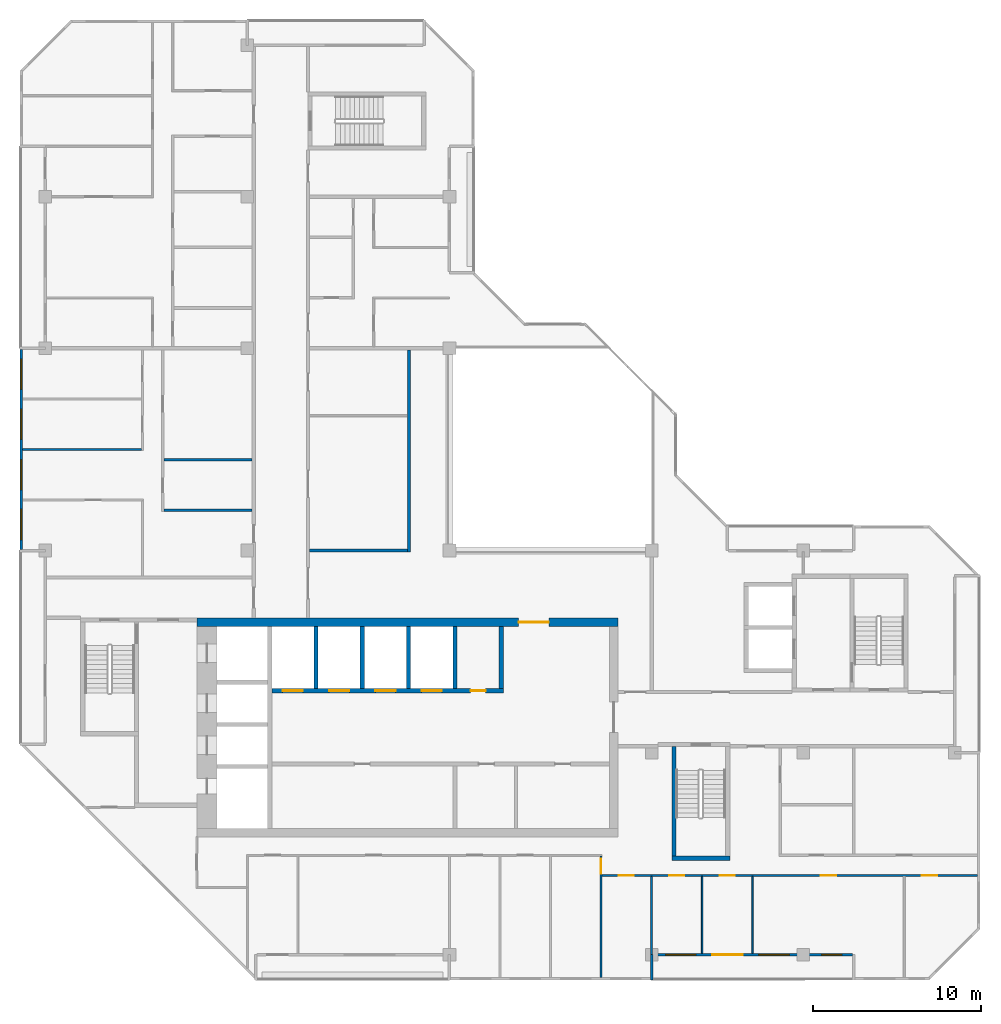
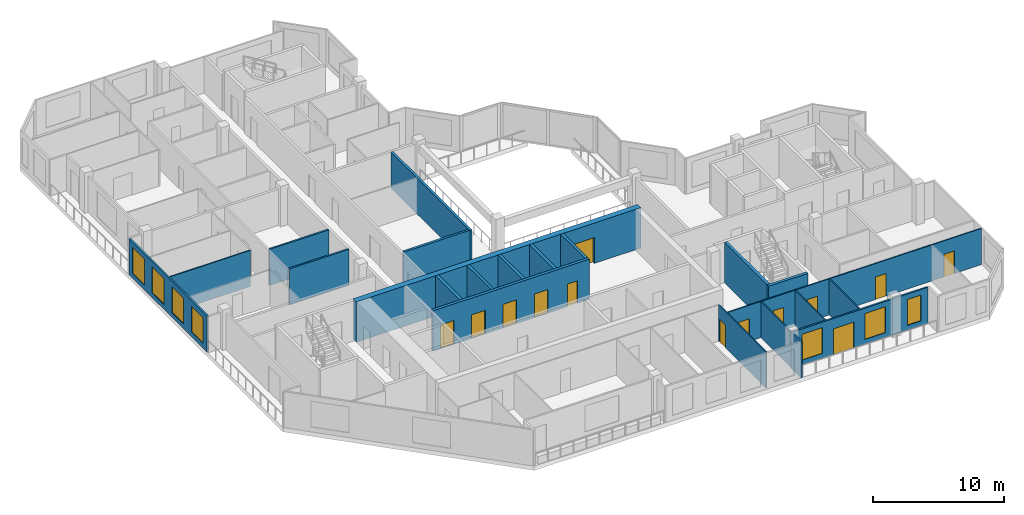
# One storey, part 5 of 12: 22 walls, 13 doors, 7 windows, 20 openings.
"""IFC4 building model written with IfcOpenShell, lengths in metres."""

from ifc_helpers import new_model, si_unit, direction, frame, frame_2d, origin, place, context, subcontext, project, spatial, rectangle, extrude, material, layer, layer_set, type_object, element, fill, save


model = new_model("IFC4")

# Units and contexts
model_context = context("Model", 3, precision=1e-05, world=origin(), true_north=direction((0.0, 1.0)))
body_context = subcontext(model_context, "Body", "Model", "MODEL_VIEW")
ifc_project = project(units=[si_unit("LENGTHUNIT", "METRE"), si_unit("AREAUNIT", "SQUARE_METRE"), si_unit("VOLUMEUNIT", "CUBIC_METRE"), si_unit("PLANEANGLEUNIT", "RADIAN"), si_unit("MASSUNIT", "GRAM", prefix="KILO")], contexts=[model_context])

# Site, building, storey
site_placement = place(None, origin())
site = spatial("IfcSite", under=ifc_project, at=site_placement, CompositionType="ELEMENT")
building_placement = place(site_placement, origin())
building = spatial("IfcBuilding", under=site, at=building_placement, Name="Chenar Terraces", CompositionType="ELEMENT")
storey_placement = place(building_placement, frame((0.0, 0.0, 365.14990234375)))
storey = spatial("IfcBuildingStorey", under=building, at=storey_placement, Name="L85", CompositionType="ELEMENT", Elevation=365.14990234375)

# Wall, openings, doors
ifc_material_1 = material(Name="Concrete C50/60", Category="concrete")
ifc_layer_1 = layer(ifc_material_1, 0.25)
ifc_layer_set_1 = layer_set([ifc_layer_1], Name="Concrete C50/60")
wall_type_1 = type_object("IfcWallType", Name="Core wall 250 Concrete C50/60", PredefinedType="SHEAR", material=ifc_layer_set_1)
wall_1_placement = place(storey_placement, frame((13.449951171875, 15.675048828125, 0.0), z_axis=(0.0, 0.0, 1.0), x_axis=(1.0, 0.0, 0.0)))
wall_1 = element("IfcWall", 1, at=wall_1_placement, inside=storey, type_object=wall_type_1, Name="Core wall NF L85", PredefinedType="SHEAR", context=body_context, shape_type="SweptSolid", body=[
    extrude(rectangle(XDim=13.75, YDim=0.25, at=frame_2d((6.875, 0.0))), origin(), (0.0, 0.0, 1.0), 3.75),
])
opening_1_placement = place(wall_1_placement, frame((0.64990234375, 0.0, 0.0)))
opening_1 = element("IfcOpeningElement", 2, at=opening_1_placement, cuts=wall_1, Name="Opening DL85-LD1", PredefinedType="OPENING", context=body_context, shape_type="SweptSolid", body=[
    extrude(rectangle(XDim=1.199951171875, YDim=2.199951171875, at=frame_2d((0.60009765625, 1.10009765625))), frame((0.0, 0.135009765625, 0.0), z_axis=(0.0, -1.0, 0.0), x_axis=(1.0, 0.0, 0.0)), (0.0, 0.0, 1.0), 0.27001953125),
])
opening_2_placement = place(wall_1_placement, frame((3.39990234375, 0.0, 0.0)))
opening_2 = element("IfcOpeningElement", 3, at=opening_2_placement, cuts=wall_1, Name="Opening DL85-LD2", PredefinedType="OPENING", context=body_context, shape_type="SweptSolid", body=[
    extrude(rectangle(XDim=1.199951171875, YDim=2.199951171875, at=frame_2d((0.60009765625, 1.10009765625))), frame((0.0, 0.135009765625, 0.0), z_axis=(0.0, -1.0, 0.0), x_axis=(1.0, 0.0, 0.0)), (0.0, 0.0, 1.0), 0.27001953125),
])
opening_3_placement = place(wall_1_placement, frame((6.14990234375, 0.0, 0.0)))
opening_3 = element("IfcOpeningElement", 4, at=opening_3_placement, cuts=wall_1, Name="Opening DL85-LD3", PredefinedType="OPENING", context=body_context, shape_type="SweptSolid", body=[
    extrude(rectangle(XDim=1.199951171875, YDim=2.199951171875, at=frame_2d((0.60009765625, 1.10009765625))), frame((0.0, 0.135009765625, 0.0), z_axis=(0.0, -1.0, 0.0), x_axis=(1.0, 0.0, 0.0)), (0.0, 0.0, 1.0), 0.27001953125),
])
opening_4_placement = place(wall_1_placement, frame((8.89990234375, 0.0, 0.0)))
opening_4 = element("IfcOpeningElement", 5, at=opening_4_placement, cuts=wall_1, Name="Opening DL85-LD4", PredefinedType="OPENING", context=body_context, shape_type="SweptSolid", body=[
    extrude(rectangle(XDim=1.199951171875, YDim=2.199951171875, at=frame_2d((0.60009765625, 1.10009765625))), frame((0.0, 0.135009765625, 0.0), z_axis=(0.0, -1.0, 0.0), x_axis=(1.0, 0.0, 0.0)), (0.0, 0.0, 1.0), 0.27001953125),
])
opening_5_placement = place(wall_1_placement, frame((11.800048828125, 0.0, 0.0)))
opening_5 = element("IfcOpeningElement", 6, at=opening_5_placement, cuts=wall_1, Name="Opening DL85-C15", PredefinedType="OPENING", context=body_context, shape_type="SweptSolid", body=[
    extrude(rectangle(XDim=0.89990234375, YDim=2.10009765625, at=frame_2d((0.449951171875, 1.050048828125))), frame((0.0, 0.135009765625, 0.0), z_axis=(0.0, -1.0, 0.0), x_axis=(1.0, 0.0, 0.0)), (0.0, 0.0, 1.0), 0.27001953125),
])
ifc_material_2 = material(Name="Stainless steel", Category="steel")
door_type_1 = type_object("IfcDoorType", Name="Lift landing door 1200 x 2200 sliding", OperationType="DOUBLE_DOOR_SLIDING", PredefinedType="DOOR", material=ifc_material_2)
door_1_placement = place(opening_1_placement, origin())
door_1 = element("IfcDoor", 7, at=door_1_placement, inside=storey, type_object=door_type_1, Name="Landing door H1", OperationType="DOUBLE_DOOR_SLIDING", OverallHeight=2.199951171875, OverallWidth=1.199951171875, PredefinedType="DOOR", context=body_context, shape_type="SweptSolid", body=[
    extrude(rectangle(XDim=1.199951171875, YDim=2.199951171875, at=frame_2d((0.60009765625, 1.10009765625))), frame((0.0, 0.02490234375, 0.0), z_axis=(0.0, -1.0, 0.0), x_axis=(1.0, 0.0, 0.0)), (0.0, 0.0, 1.0), 0.050048828125),
])
fill(opening_1, door_1)
door_2_placement = place(opening_2_placement, origin())
door_2 = element("IfcDoor", 8, at=door_2_placement, inside=storey, type_object=door_type_1, Name="Landing door H2", OperationType="DOUBLE_DOOR_SLIDING", OverallHeight=2.199951171875, OverallWidth=1.199951171875, PredefinedType="DOOR", context=body_context, shape_type="SweptSolid", body=[
    extrude(rectangle(XDim=1.199951171875, YDim=2.199951171875, at=frame_2d((0.60009765625, 1.10009765625))), frame((0.0, 0.02490234375, 0.0), z_axis=(0.0, -1.0, 0.0), x_axis=(1.0, 0.0, 0.0)), (0.0, 0.0, 1.0), 0.050048828125),
])
fill(opening_2, door_2)
door_3_placement = place(opening_3_placement, origin())
door_3 = element("IfcDoor", 9, at=door_3_placement, inside=storey, type_object=door_type_1, Name="Landing door H3", OperationType="DOUBLE_DOOR_SLIDING", OverallHeight=2.199951171875, OverallWidth=1.199951171875, PredefinedType="DOOR", context=body_context, shape_type="SweptSolid", body=[
    extrude(rectangle(XDim=1.199951171875, YDim=2.199951171875, at=frame_2d((0.60009765625, 1.10009765625))), frame((0.0, 0.02490234375, 0.0), z_axis=(0.0, -1.0, 0.0), x_axis=(1.0, 0.0, 0.0)), (0.0, 0.0, 1.0), 0.050048828125),
])
fill(opening_3, door_3)
door_4_placement = place(opening_4_placement, origin())
door_4 = element("IfcDoor", 10, at=door_4_placement, inside=storey, type_object=door_type_1, Name="Landing door H4", OperationType="DOUBLE_DOOR_SLIDING", OverallHeight=2.199951171875, OverallWidth=1.199951171875, PredefinedType="DOOR", context=body_context, shape_type="SweptSolid", body=[
    extrude(rectangle(XDim=1.199951171875, YDim=2.199951171875, at=frame_2d((0.60009765625, 1.10009765625))), frame((0.0, 0.02490234375, 0.0), z_axis=(0.0, -1.0, 0.0), x_axis=(1.0, 0.0, 0.0)), (0.0, 0.0, 1.0), 0.050048828125),
])
fill(opening_4, door_4)
ifc_material_3 = material(Name="Steel-framed fire-resisting door leaf", Category="steel")
door_type_2 = type_object("IfcDoorType", Name="Riser fire door FD60 900 x 2100", OperationType="SINGLE_SWING_LEFT", PredefinedType="DOOR", material=ifc_material_3)
door_5_placement = place(opening_5_placement, origin())
door_5 = element("IfcDoor", 11, at=door_5_placement, inside=storey, type_object=door_type_2, Name="Core room door DL85-C15", OperationType="SINGLE_SWING_RIGHT", OverallHeight=2.10009765625, OverallWidth=0.89990234375, PredefinedType="DOOR", context=body_context, shape_type="SweptSolid", body=[
    extrude(rectangle(XDim=0.89990234375, YDim=2.10009765625, at=frame_2d((0.449951171875, 1.050048828125))), frame((0.0, 0.02490234375, 0.0), z_axis=(0.0, -1.0, 0.0), x_axis=(1.0, 0.0, 0.0)), (0.0, 0.0, 1.0), 0.050048828125),
])
fill(opening_5, door_5)

# Walls
for number, where, z_axis, x_axis, name in (
    (12, (16.074951171875, 15.800048828125, 0.0), (0.0, 0.0, 1.0), (0.0, 1.0, 0.0), "Core wall NS0 L85"),
    (13, (18.824951171875, 15.800048828125, 0.0), (0.0, 0.0, 1.0), (0.0, 1.0, 0.0), "Core wall NS1 L85"),
    (14, (21.574951171875, 15.800048828125, 0.0), (0.0, 0.0, 1.0), (0.0, 1.0, 0.0), "Core wall NS2 L85"),
    (15, (24.324951171875, 15.800048828125, 0.0), (0.0, 0.0, 1.0), (0.0, 1.0, 0.0), "Core wall NS3 L85"),
    (16, (27.074951171875, 15.800048828125, 0.0), (0.0, 0.0, 1.0), (0.0, 1.0, 0.0), "Core wall NE L85"),
):
    element("IfcWall", number, at=place(storey_placement, frame(where, z_axis=z_axis, x_axis=x_axis)), inside=storey, type_object=wall_type_1, Name=name, PredefinedType="SHEAR", context=body_context, shape_type="SweptSolid", body=[
        extrude(rectangle(XDim=3.699951171875, YDim=0.25, at=frame_2d((1.85009765625, 0.0))), origin(), (0.0, 0.0, 1.0), 3.75),
    ])
wall_2_placement = place(storey_placement, frame((37.199951171875, 5.72509765625, 0.0), z_axis=(0.0, 0.0, 1.0), x_axis=(1.0, 0.0, 0.0)))
element("IfcWall", 17, at=wall_2_placement, inside=storey, type_object=wall_type_1, Name="Core wall ST2_S L85", PredefinedType="SHEAR", context=body_context, shape_type="SweptSolid", body=[
    extrude(rectangle(XDim=3.449951171875, YDim=0.25, at=frame_2d((1.72509765625, 0.0))), origin(), (0.0, 0.0, 1.0), 3.75),
])
wall_3_placement = place(storey_placement, frame((37.324951171875, 5.85009765625, 0.0), z_axis=(0.0, 0.0, 1.0), x_axis=(0.0, 1.0, 0.0)))
element("IfcWall", 18, at=wall_3_placement, inside=storey, type_object=wall_type_1, Name="Core wall ST2_W L85", PredefinedType="SHEAR", context=body_context, shape_type="SweptSolid", body=[
    extrude(rectangle(XDim=6.5, YDim=0.25, at=frame_2d((3.25, 0.0))), origin(), (0.0, 0.0, 1.0), 3.75),
])

# Wall, opening, door
ifc_material_4 = material(Name="Concrete C50/60", Category="concrete")
ifc_layer_2 = layer(ifc_material_4, 0.5)
ifc_layer_set_2 = layer_set([ifc_layer_2], Name="Concrete C50/60")
wall_type_2 = type_object("IfcWallType", Name="Core wall 500 Concrete C50/60", PredefinedType="SHEAR", material=ifc_layer_set_2)
wall_4_placement = place(storey_placement, frame((9.0, 19.75, 0.0), z_axis=(0.0, 0.0, 1.0), x_axis=(1.0, 0.0, 0.0)))
wall_4 = element("IfcWall", 19, at=wall_4_placement, inside=storey, type_object=wall_type_2, Name="Core wall N L85", PredefinedType="SHEAR", context=body_context, shape_type="SweptSolid", body=[
    extrude(rectangle(XDim=25.0, YDim=0.5, at=frame_2d((12.5, 0.0))), origin(), (0.0, 0.0, 1.0), 3.75),
])
opening_6_placement = place(wall_4_placement, frame((19.10009765625, 0.0, 0.0)))
opening_6 = element("IfcOpeningElement", 20, at=opening_6_placement, cuts=wall_4, Name="Opening DL85-C2", PredefinedType="OPENING", context=body_context, shape_type="SweptSolid", body=[
    extrude(rectangle(XDim=1.800048828125, YDim=2.39990234375, at=frame_2d((0.89990234375, 1.199951171875))), frame((0.0, 0.260009765625, 0.0), z_axis=(0.0, -1.0, 0.0), x_axis=(1.0, 0.0, 0.0)), (0.0, 0.0, 1.0), 0.52001953125),
])
ifc_material_5 = material(Name="Steel-framed fire-resisting door leaf", Category="steel")
door_type_3 = type_object("IfcDoorType", Name="Core entrance double fire door FD60 1800 x 2400", OperationType="DOUBLE_DOOR_SINGLE_SWING", PredefinedType="DOOR", material=ifc_material_5)
door_6_placement = place(opening_6_placement, frame((1.800048828125, 0.0, 0.0), z_axis=(0.0, 0.0, 1.0), x_axis=(-1.0, 0.0, 0.0)))
door_6 = element("IfcDoor", 21, at=door_6_placement, inside=storey, type_object=door_type_3, Name="Core door DL85-C2", OperationType="DOUBLE_DOOR_SINGLE_SWING", OverallHeight=2.39990234375, OverallWidth=1.800048828125, PredefinedType="DOOR", context=body_context, shape_type="SweptSolid", body=[
    extrude(rectangle(XDim=1.800048828125, YDim=2.39990234375, at=frame_2d((0.89990234375, 1.199951171875))), frame((0.0, 0.02490234375, 0.0), z_axis=(0.0, -1.0, 0.0), x_axis=(1.0, 0.0, 0.0)), (0.0, 0.0, 1.0), 0.050048828125),
])
fill(opening_6, door_6)

# Walls
ifc_material_6 = material(Name="Gypsum board on steel studs with fire boards", Category="steel")
ifc_layer_3 = layer(ifc_material_6, 0.199951171875)
ifc_layer_set_3 = layer_set([ifc_layer_3], Name="Gypsum board on steel studs with fire boards")
wall_type_3 = type_object("IfcWallType", Name="Corridor wall 200", PredefinedType="PARTITIONING", material=ifc_layer_set_3)
wall_5_placement = place(storey_placement, frame((15.699951171875, 24.0, 0.0), z_axis=(0.0, 0.0, 1.0), x_axis=(1.0, 0.0, 0.0)))
element("IfcWall", 22, at=wall_5_placement, inside=storey, type_object=wall_type_3, Name="Partition L85-034", PredefinedType="PARTITIONING", context=body_context, shape_type="SweptSolid", body=[
    extrude(rectangle(XDim=5.800048828125, YDim=0.199951171875, at=frame_2d((2.89990234375, 0.0))), origin(), (0.0, 0.0, 1.0), 3.35009765625),
])
wall_6_placement = place(storey_placement, frame((21.60009765625, 23.89990234375, 0.0), z_axis=(0.0, 0.0, 1.0), x_axis=(0.0, 1.0, 0.0)))
element("IfcWall", 23, at=wall_6_placement, inside=storey, type_object=wall_type_3, Name="Partition L85-045", PredefinedType="PARTITIONING", context=body_context, shape_type="SweptSolid", body=[
    extrude(rectangle(XDim=12.0, YDim=0.199951171875, at=frame_2d((6.0, 0.0))), origin(), (0.0, 0.0, 1.0), 3.35009765625),
])

# Wall, openings, windows
ifc_material_7 = material(Name="Aluminium framed glazing", Category="aluminium")
ifc_layer_4 = layer(ifc_material_7, 0.14990234375)
ifc_layer_set_4 = layer_set([ifc_layer_4], Name="Aluminium framed glazing")
wall_type_4 = type_object("IfcWallType", Name="Glazed flush facade wall 150", PredefinedType="SOLIDWALL", material=ifc_layer_set_4)
wall_7_placement = place(storey_placement, frame((-1.425048828125, 35.925048828125, 0.0), z_axis=(0.0, 0.0, 1.0), x_axis=(0.0, -1.0, 0.0)))
wall_7 = element("IfcWall", 24, at=wall_7_placement, inside=storey, type_object=wall_type_4, Name="Glazed flush facade wall", PredefinedType="SOLIDWALL", context=body_context, shape_type="SweptSolid", body=[
    extrude(rectangle(XDim=11.85009765625, YDim=0.14990234375, at=frame_2d((5.925048828125, 0.0))), origin(), (0.0, 0.0, 1.0), 3.35009765625),
])
opening_7_placement = place(wall_7_placement, frame((0.5625, 0.0, 0.449951171875)))
opening_7 = element("IfcOpeningElement", 25, at=opening_7_placement, cuts=wall_7, Name="Opening W180x240", PredefinedType="OPENING", context=body_context, shape_type="SweptSolid", body=[
    extrude(rectangle(XDim=1.800048828125, YDim=2.39990234375, at=frame_2d((0.89990234375, 1.199951171875))), frame((0.0, 0.0849609375, 0.0), z_axis=(0.0, -1.0, 0.0), x_axis=(1.0, 0.0, 0.0)), (0.0, 0.0, 1.0), 0.169921875),
])
opening_8_placement = place(wall_7_placement, frame((3.52490234375, 0.0, 0.449951171875)))
opening_8 = element("IfcOpeningElement", 26, at=opening_8_placement, cuts=wall_7, Name="Opening W180x240", PredefinedType="OPENING", context=body_context, shape_type="SweptSolid", body=[
    extrude(rectangle(XDim=1.800048828125, YDim=2.39990234375, at=frame_2d((0.89990234375, 1.199951171875))), frame((0.0, 0.0849609375, 0.0), z_axis=(0.0, -1.0, 0.0), x_axis=(1.0, 0.0, 0.0)), (0.0, 0.0, 1.0), 0.169921875),
])
opening_9_placement = place(wall_7_placement, frame((6.52490234375, 0.0, 0.449951171875)))
opening_9 = element("IfcOpeningElement", 27, at=opening_9_placement, cuts=wall_7, Name="Opening W180x240", PredefinedType="OPENING", context=body_context, shape_type="SweptSolid", body=[
    extrude(rectangle(XDim=1.800048828125, YDim=2.39990234375, at=frame_2d((0.89990234375, 1.199951171875))), frame((0.0, 0.0849609375, 0.0), z_axis=(0.0, -1.0, 0.0), x_axis=(1.0, 0.0, 0.0)), (0.0, 0.0, 1.0), 0.169921875),
])
opening_10_placement = place(wall_7_placement, frame((9.487548828125, 0.0, 0.449951171875)))
opening_10 = element("IfcOpeningElement", 28, at=opening_10_placement, cuts=wall_7, Name="Opening W180x240", PredefinedType="OPENING", context=body_context, shape_type="SweptSolid", body=[
    extrude(rectangle(XDim=1.800048828125, YDim=2.39990234375, at=frame_2d((0.89990234375, 1.199951171875))), frame((0.0, 0.0849609375, 0.0), z_axis=(0.0, -1.0, 0.0), x_axis=(1.0, 0.0, 0.0)), (0.0, 0.0, 1.0), 0.169921875),
])
ifc_material_8 = material(Name="Low emissivity double glazing, aluminium frame", Category="aluminium")
window_type_1 = type_object("IfcWindowType", Name="Fixed light 1800 x 2400", PartitioningType="SINGLE_PANEL", PredefinedType="WINDOW", material=ifc_material_8)
window_1_placement = place(opening_7_placement, origin())
window_1 = element("IfcWindow", 29, at=window_1_placement, inside=storey, type_object=window_type_1, Name="Window", OverallHeight=2.39990234375, OverallWidth=1.800048828125, PartitioningType="SINGLE_PANEL", PredefinedType="WINDOW", context=body_context, shape_type="SweptSolid", body=[
    extrude(rectangle(XDim=1.800048828125, YDim=2.39990234375, at=frame_2d((0.89990234375, 1.199951171875))), frame((0.0, 0.030029296875, 0.0), z_axis=(0.0, -1.0, 0.0), x_axis=(1.0, 0.0, 0.0)), (0.0, 0.0, 1.0), 0.06005859375),
])
fill(opening_7, window_1)
window_2_placement = place(opening_8_placement, origin())
window_2 = element("IfcWindow", 30, at=window_2_placement, inside=storey, type_object=window_type_1, Name="Window", OverallHeight=2.39990234375, OverallWidth=1.800048828125, PartitioningType="SINGLE_PANEL", PredefinedType="WINDOW", context=body_context, shape_type="SweptSolid", body=[
    extrude(rectangle(XDim=1.800048828125, YDim=2.39990234375, at=frame_2d((0.89990234375, 1.199951171875))), frame((0.0, 0.030029296875, 0.0), z_axis=(0.0, -1.0, 0.0), x_axis=(1.0, 0.0, 0.0)), (0.0, 0.0, 1.0), 0.06005859375),
])
fill(opening_8, window_2)
window_3_placement = place(opening_9_placement, origin())
window_3 = element("IfcWindow", 31, at=window_3_placement, inside=storey, type_object=window_type_1, Name="Window", OverallHeight=2.39990234375, OverallWidth=1.800048828125, PartitioningType="SINGLE_PANEL", PredefinedType="WINDOW", context=body_context, shape_type="SweptSolid", body=[
    extrude(rectangle(XDim=1.800048828125, YDim=2.39990234375, at=frame_2d((0.89990234375, 1.199951171875))), frame((0.0, 0.030029296875, 0.0), z_axis=(0.0, -1.0, 0.0), x_axis=(1.0, 0.0, 0.0)), (0.0, 0.0, 1.0), 0.06005859375),
])
fill(opening_9, window_3)
window_4_placement = place(opening_10_placement, origin())
window_4 = element("IfcWindow", 32, at=window_4_placement, inside=storey, type_object=window_type_1, Name="Window", OverallHeight=2.39990234375, OverallWidth=1.800048828125, PartitioningType="SINGLE_PANEL", PredefinedType="WINDOW", context=body_context, shape_type="SweptSolid", body=[
    extrude(rectangle(XDim=1.800048828125, YDim=2.39990234375, at=frame_2d((0.89990234375, 1.199951171875))), frame((0.0, 0.030029296875, 0.0), z_axis=(0.0, -1.0, 0.0), x_axis=(1.0, 0.0, 0.0)), (0.0, 0.0, 1.0), 0.06005859375),
])
fill(opening_10, window_4)

# Wall, openings, windows, door
ifc_material_9 = material(Name="Aluminium framed glazing", Category="aluminium")
ifc_layer_5 = layer(ifc_material_9, 0.14990234375)
ifc_layer_set_5 = layer_set([ifc_layer_5], Name="Aluminium framed glazing")
wall_type_5 = type_object("IfcWallType", Name="Glazed loggia back wall 150", PredefinedType="SOLIDWALL", material=ifc_layer_set_5)
wall_8_placement = place(storey_placement, frame((36.074951171875, 0.0, 0.0), z_axis=(0.0, 0.0, 1.0), x_axis=(1.0, 0.0, 0.0)))
wall_8 = element("IfcWall", 33, at=wall_8_placement, inside=storey, type_object=wall_type_5, Name="Glazed loggia back wall", PredefinedType="SOLIDWALL", context=body_context, shape_type="SweptSolid", body=[
    extrude(rectangle(XDim=11.85009765625, YDim=0.14990234375, at=frame_2d((5.925048828125, 0.0))), origin(), (0.0, 0.0, 1.0), 3.35009765625),
])
opening_11_placement = place(wall_8_placement, frame((0.762451171875, 0.0, 0.449951171875)))
opening_11 = element("IfcOpeningElement", 34, at=opening_11_placement, cuts=wall_8, Name="Opening W180x240", PredefinedType="OPENING", context=body_context, shape_type="SweptSolid", body=[
    extrude(rectangle(XDim=1.800048828125, YDim=2.39990234375, at=frame_2d((0.89990234375, 1.199951171875))), frame((0.0, 0.0849609375, 0.0), z_axis=(0.0, -1.0, 0.0), x_axis=(1.0, 0.0, 0.0)), (0.0, 0.0, 1.0), 0.169921875),
])
opening_12_placement = place(wall_8_placement, frame((3.52490234375, 0.0, 0.0)))
opening_12 = element("IfcOpeningElement", 35, at=opening_12_placement, cuts=wall_8, Name="Opening DL85-G4", PredefinedType="OPENING", context=body_context, shape_type="SweptSolid", body=[
    extrude(rectangle(XDim=1.800048828125, YDim=2.39990234375, at=frame_2d((0.89990234375, 1.199951171875))), frame((0.0, 0.0849609375, 0.0), z_axis=(0.0, -1.0, 0.0), x_axis=(1.0, 0.0, 0.0)), (0.0, 0.0, 1.0), 0.169921875),
])
opening_13_placement = place(wall_8_placement, frame((6.28759765625, 0.0, 0.449951171875)))
opening_13 = element("IfcOpeningElement", 36, at=opening_13_placement, cuts=wall_8, Name="Opening W180x240", PredefinedType="OPENING", context=body_context, shape_type="SweptSolid", body=[
    extrude(rectangle(XDim=1.800048828125, YDim=2.39990234375, at=frame_2d((0.89990234375, 1.199951171875))), frame((0.0, 0.0849609375, 0.0), z_axis=(0.0, -1.0, 0.0), x_axis=(1.0, 0.0, 0.0)), (0.0, 0.0, 1.0), 0.169921875),
])
opening_14_placement = place(wall_8_placement, frame((10.02490234375, 0.0, 0.449951171875)))
opening_14 = element("IfcOpeningElement", 37, at=opening_14_placement, cuts=wall_8, Name="Opening W120x240", PredefinedType="OPENING", context=body_context, shape_type="SweptSolid", body=[
    extrude(rectangle(XDim=1.199951171875, YDim=2.39990234375, at=frame_2d((0.60009765625, 1.199951171875))), frame((0.0, 0.0849609375, 0.0), z_axis=(0.0, -1.0, 0.0), x_axis=(1.0, 0.0, 0.0)), (0.0, 0.0, 1.0), 0.169921875),
])
ifc_material_10 = material(Name="Low emissivity double glazing, aluminium frame", Category="aluminium")
window_type_2 = type_object("IfcWindowType", Name="Fixed light 1200 x 2400", PartitioningType="SINGLE_PANEL", PredefinedType="WINDOW", material=ifc_material_10)
window_5_placement = place(opening_14_placement, origin())
window_5 = element("IfcWindow", 38, at=window_5_placement, inside=storey, type_object=window_type_2, Name="Window", OverallHeight=2.39990234375, OverallWidth=1.199951171875, PartitioningType="SINGLE_PANEL", PredefinedType="WINDOW", context=body_context, shape_type="SweptSolid", body=[
    extrude(rectangle(XDim=1.199951171875, YDim=2.39990234375, at=frame_2d((0.60009765625, 1.199951171875))), frame((0.0, 0.030029296875, 0.0), z_axis=(0.0, -1.0, 0.0), x_axis=(1.0, 0.0, 0.0)), (0.0, 0.0, 1.0), 0.06005859375),
])
fill(opening_14, window_5)
window_6_placement = place(opening_11_placement, origin())
window_6 = element("IfcWindow", 39, at=window_6_placement, inside=storey, type_object=window_type_1, Name="Window", OverallHeight=2.39990234375, OverallWidth=1.800048828125, PartitioningType="SINGLE_PANEL", PredefinedType="WINDOW", context=body_context, shape_type="SweptSolid", body=[
    extrude(rectangle(XDim=1.800048828125, YDim=2.39990234375, at=frame_2d((0.89990234375, 1.199951171875))), frame((0.0, 0.030029296875, 0.0), z_axis=(0.0, -1.0, 0.0), x_axis=(1.0, 0.0, 0.0)), (0.0, 0.0, 1.0), 0.06005859375),
])
fill(opening_11, window_6)
window_7_placement = place(opening_13_placement, origin())
window_7 = element("IfcWindow", 40, at=window_7_placement, inside=storey, type_object=window_type_1, Name="Window", OverallHeight=2.39990234375, OverallWidth=1.800048828125, PartitioningType="SINGLE_PANEL", PredefinedType="WINDOW", context=body_context, shape_type="SweptSolid", body=[
    extrude(rectangle(XDim=1.800048828125, YDim=2.39990234375, at=frame_2d((0.89990234375, 1.199951171875))), frame((0.0, 0.030029296875, 0.0), z_axis=(0.0, -1.0, 0.0), x_axis=(1.0, 0.0, 0.0)), (0.0, 0.0, 1.0), 0.06005859375),
])
fill(opening_13, window_7)
ifc_material_11 = material(Name="Low emissivity double glazing, aluminium frame", Category="aluminium")
door_type_4 = type_object("IfcDoorType", Name="Loggia glazed double door 1800 x 2400", OperationType="DOUBLE_DOOR_SINGLE_SWING", PredefinedType="DOOR", material=ifc_material_11)
door_7_placement = place(opening_12_placement, frame((1.800048828125, 0.0, 0.0), z_axis=(0.0, 0.0, 1.0), x_axis=(-1.0, 0.0, 0.0)))
door_7 = element("IfcDoor", 41, at=door_7_placement, inside=storey, type_object=door_type_4, Name="Loggia glazed door", OperationType="DOUBLE_DOOR_SINGLE_SWING", OverallHeight=2.39990234375, OverallWidth=1.800048828125, PredefinedType="DOOR", context=body_context, shape_type="SweptSolid", body=[
    extrude(rectangle(XDim=1.800048828125, YDim=2.39990234375, at=frame_2d((0.89990234375, 1.199951171875))), frame((0.0, 0.02490234375, 0.0), z_axis=(0.0, -1.0, 0.0), x_axis=(1.0, 0.0, 0.0)), (0.0, 0.0, 1.0), 0.050048828125),
])
fill(opening_12, door_7)

# Wall
ifc_material_12 = material(Name="Gypsum board on steel studs", Category="steel")
ifc_layer_6 = layer(ifc_material_12, 0.10009765625)
ifc_layer_set_6 = layer_set([ifc_layer_6], Name="Gypsum board on steel studs")
wall_type_6 = type_object("IfcWallType", Name="Gypsum partition 100", PredefinedType="PARTITIONING", material=ifc_layer_set_6)
wall_9_placement = place(storey_placement, frame((-1.35009765625, 30.0, 0.0), z_axis=(0.0, 0.0, 1.0), x_axis=(1.0, 0.0, 0.0)))
element("IfcWall", 42, at=wall_9_placement, inside=storey, type_object=wall_type_6, Name="Partition L85-002", PredefinedType="PARTITIONING", context=body_context, shape_type="SweptSolid", body=[
    extrude(rectangle(XDim=7.0751953125, YDim=0.10009765625, at=frame_2d((3.53759765625, 0.0))), origin(), (0.0, 0.0, 1.0), 3.35009765625),
])

# Wall, opening, door
wall_10_placement = place(storey_placement, frame((33.0, -1.35107421875, 0.0), z_axis=(0.0, 0.0, 1.0), x_axis=(0.0, 1.0, 0.0)))
wall_10 = element("IfcWall", 43, at=wall_10_placement, inside=storey, type_object=wall_type_6, Name="Partition L85-049", PredefinedType="PARTITIONING", context=body_context, shape_type="SweptSolid", body=[
    extrude(rectangle(XDim=7.201171875, YDim=0.10009765625, at=frame_2d((3.6005859375, 0.0))), origin(), (0.0, 0.0, 1.0), 3.35009765625),
])
opening_15_placement = place(wall_10_placement, frame((6.15087890625, 0.0, 0.0)))
opening_15 = element("IfcOpeningElement", 44, at=opening_15_placement, cuts=wall_10, Name="Opening DL85-28", PredefinedType="OPENING", context=body_context, shape_type="SweptSolid", body=[
    extrude(rectangle(XDim=0.89990234375, YDim=2.10009765625, at=frame_2d((0.449951171875, 1.050048828125))), frame((0.0, 0.06005859375, 0.0), z_axis=(0.0, -1.0, 0.0), x_axis=(1.0, 0.0, 0.0)), (0.0, 0.0, 1.0), 0.1201171875),
])
ifc_material_13 = material(Name="Veneered timber door leaf", Category="wood")
door_type_5 = type_object("IfcDoorType", Name="Door 900 x 2100", OperationType="SINGLE_SWING_LEFT", PredefinedType="DOOR", material=ifc_material_13)
door_8_placement = place(opening_15_placement, origin())
door_8 = element("IfcDoor", 45, at=door_8_placement, inside=storey, type_object=door_type_5, Name="Door DL85-28", OperationType="SINGLE_SWING_RIGHT", OverallHeight=2.10009765625, OverallWidth=0.89990234375, PredefinedType="DOOR", context=body_context, shape_type="SweptSolid", body=[
    extrude(rectangle(XDim=0.89990234375, YDim=2.10009765625, at=frame_2d((0.449951171875, 1.050048828125))), frame((0.0, 0.02490234375, 0.0), z_axis=(0.0, -1.0, 0.0), x_axis=(1.0, 0.0, 0.0)), (0.0, 0.0, 1.0), 0.050048828125),
])
fill(opening_15, door_8)

# Wall, openings, doors
wall_11_placement = place(storey_placement, frame((33.050048828125, 4.699951171875, 0.0), z_axis=(0.0, 0.0, 1.0), x_axis=(1.0, 0.0, 0.0)))
wall_11 = element("IfcWall", 46, at=wall_11_placement, inside=storey, type_object=wall_type_6, Name="Partition L85-050", PredefinedType="PARTITIONING", context=body_context, shape_type="SweptSolid", body=[
    extrude(rectangle(XDim=22.301025390625, YDim=0.10009765625, at=frame_2d((11.150390625, 0.0))), origin(), (0.0, 0.0, 1.0), 3.35009765625),
])
opening_16_placement = place(wall_11_placement, frame((1.0, 0.0, 0.0)))
opening_16 = element("IfcOpeningElement", 47, at=opening_16_placement, cuts=wall_11, Name="Opening DL85-29", PredefinedType="OPENING", context=body_context, shape_type="SweptSolid", body=[
    extrude(rectangle(XDim=0.89990234375, YDim=2.10009765625, at=frame_2d((0.449951171875, 1.050048828125))), frame((0.0, 0.06005859375, 0.0), z_axis=(0.0, -1.0, 0.0), x_axis=(1.0, 0.0, 0.0)), (0.0, 0.0, 1.0), 0.1201171875),
])
opening_17_placement = place(wall_11_placement, frame((4.0, 0.0, 0.0)))
opening_17 = element("IfcOpeningElement", 48, at=opening_17_placement, cuts=wall_11, Name="Opening DL85-30", PredefinedType="OPENING", context=body_context, shape_type="SweptSolid", body=[
    extrude(rectangle(XDim=0.89990234375, YDim=2.10009765625, at=frame_2d((0.449951171875, 1.050048828125))), frame((0.0, 0.06005859375, 0.0), z_axis=(0.0, -1.0, 0.0), x_axis=(1.0, 0.0, 0.0)), (0.0, 0.0, 1.0), 0.1201171875),
])
opening_18_placement = place(wall_11_placement, frame((7.0, 0.0, 0.0)))
opening_18 = element("IfcOpeningElement", 49, at=opening_18_placement, cuts=wall_11, Name="Opening DL85-31", PredefinedType="OPENING", context=body_context, shape_type="SweptSolid", body=[
    extrude(rectangle(XDim=0.89990234375, YDim=2.10009765625, at=frame_2d((0.449951171875, 1.050048828125))), frame((0.0, 0.06005859375, 0.0), z_axis=(0.0, -1.0, 0.0), x_axis=(1.0, 0.0, 0.0)), (0.0, 0.0, 1.0), 0.1201171875),
])
opening_19_placement = place(wall_11_placement, frame((19.0, 0.0, 0.0)))
opening_19 = element("IfcOpeningElement", 50, at=opening_19_placement, cuts=wall_11, Name="Opening DL85-32", PredefinedType="OPENING", context=body_context, shape_type="SweptSolid", body=[
    extrude(rectangle(XDim=0.89990234375, YDim=2.10009765625, at=frame_2d((0.449951171875, 1.050048828125))), frame((0.0, 0.06005859375, 0.0), z_axis=(0.0, -1.0, 0.0), x_axis=(1.0, 0.0, 0.0)), (0.0, 0.0, 1.0), 0.1201171875),
])
opening_20_placement = place(wall_11_placement, frame((13.0, 0.0, 0.0)))
opening_20 = element("IfcOpeningElement", 51, at=opening_20_placement, cuts=wall_11, Name="Opening DL85-39", PredefinedType="OPENING", context=body_context, shape_type="SweptSolid", body=[
    extrude(rectangle(XDim=0.89990234375, YDim=2.10009765625, at=frame_2d((0.449951171875, 1.050048828125))), frame((0.0, 0.06005859375, 0.0), z_axis=(0.0, -1.0, 0.0), x_axis=(1.0, 0.0, 0.0)), (0.0, 0.0, 1.0), 0.1201171875),
])
door_9_placement = place(opening_16_placement, frame((0.89990234375, 0.0, 0.0), z_axis=(0.0, 0.0, 1.0), x_axis=(-1.0, 0.0, 0.0)))
door_9 = element("IfcDoor", 52, at=door_9_placement, inside=storey, type_object=door_type_5, Name="Door DL85-29", OperationType="SINGLE_SWING_LEFT", OverallHeight=2.10009765625, OverallWidth=0.89990234375, PredefinedType="DOOR", context=body_context, shape_type="SweptSolid", body=[
    extrude(rectangle(XDim=0.89990234375, YDim=2.10009765625, at=frame_2d((0.449951171875, 1.050048828125))), frame((0.0, 0.02490234375, 0.0), z_axis=(0.0, -1.0, 0.0), x_axis=(1.0, 0.0, 0.0)), (0.0, 0.0, 1.0), 0.050048828125),
])
fill(opening_16, door_9)
door_10_placement = place(opening_17_placement, frame((0.89990234375, 0.0, 0.0), z_axis=(0.0, 0.0, 1.0), x_axis=(-1.0, 0.0, 0.0)))
door_10 = element("IfcDoor", 53, at=door_10_placement, inside=storey, type_object=door_type_5, Name="Door DL85-30", OperationType="SINGLE_SWING_LEFT", OverallHeight=2.10009765625, OverallWidth=0.89990234375, PredefinedType="DOOR", context=body_context, shape_type="SweptSolid", body=[
    extrude(rectangle(XDim=0.89990234375, YDim=2.10009765625, at=frame_2d((0.449951171875, 1.050048828125))), frame((0.0, 0.02490234375, 0.0), z_axis=(0.0, -1.0, 0.0), x_axis=(1.0, 0.0, 0.0)), (0.0, 0.0, 1.0), 0.050048828125),
])
fill(opening_17, door_10)
door_11_placement = place(opening_18_placement, frame((0.89990234375, 0.0, 0.0), z_axis=(0.0, 0.0, 1.0), x_axis=(-1.0, 0.0, 0.0)))
door_11 = element("IfcDoor", 54, at=door_11_placement, inside=storey, type_object=door_type_5, Name="Door DL85-31", OperationType="SINGLE_SWING_LEFT", OverallHeight=2.10009765625, OverallWidth=0.89990234375, PredefinedType="DOOR", context=body_context, shape_type="SweptSolid", body=[
    extrude(rectangle(XDim=0.89990234375, YDim=2.10009765625, at=frame_2d((0.449951171875, 1.050048828125))), frame((0.0, 0.02490234375, 0.0), z_axis=(0.0, -1.0, 0.0), x_axis=(1.0, 0.0, 0.0)), (0.0, 0.0, 1.0), 0.050048828125),
])
fill(opening_18, door_11)
door_12_placement = place(opening_19_placement, frame((0.89990234375, 0.0, 0.0), z_axis=(0.0, 0.0, 1.0), x_axis=(-1.0, 0.0, 0.0)))
door_12 = element("IfcDoor", 55, at=door_12_placement, inside=storey, type_object=door_type_5, Name="Door DL85-32", OperationType="SINGLE_SWING_RIGHT", OverallHeight=2.10009765625, OverallWidth=0.89990234375, PredefinedType="DOOR", context=body_context, shape_type="SweptSolid", body=[
    extrude(rectangle(XDim=0.89990234375, YDim=2.10009765625, at=frame_2d((0.449951171875, 1.050048828125))), frame((0.0, 0.02490234375, 0.0), z_axis=(0.0, -1.0, 0.0), x_axis=(1.0, 0.0, 0.0)), (0.0, 0.0, 1.0), 0.050048828125),
])
fill(opening_19, door_12)
door_13_placement = place(opening_20_placement, frame((0.89990234375, 0.0, 0.0), z_axis=(0.0, 0.0, 1.0), x_axis=(-1.0, 0.0, 0.0)))
door_13 = element("IfcDoor", 56, at=door_13_placement, inside=storey, type_object=door_type_5, Name="Door DL85-39", OperationType="SINGLE_SWING_LEFT", OverallHeight=2.10009765625, OverallWidth=0.89990234375, PredefinedType="DOOR", context=body_context, shape_type="SweptSolid", body=[
    extrude(rectangle(XDim=0.89990234375, YDim=2.10009765625, at=frame_2d((0.449951171875, 1.050048828125))), frame((0.0, 0.02490234375, 0.0), z_axis=(0.0, -1.0, 0.0), x_axis=(1.0, 0.0, 0.0)), (0.0, 0.0, 1.0), 0.050048828125),
])
fill(opening_20, door_13)

# Walls
wall_12_placement = place(storey_placement, frame((36.0, 0.0, 0.0), z_axis=(0.0, 0.0, 1.0), x_axis=(0.0, 1.0, 0.0)))
element("IfcWall", 57, at=wall_12_placement, inside=storey, type_object=wall_type_6, Name="Partition L85-053", PredefinedType="PARTITIONING", context=body_context, shape_type="SweptSolid", body=[
    extrude(rectangle(XDim=4.64990234375, YDim=0.10009765625, at=frame_2d((2.324951171875, 0.0))), origin(), (0.0, 0.0, 1.0), 3.35009765625),
])
for number, where, z_axis, x_axis, name in (
    (58, (39.0, 0.073974609375, 0.0), (0.0, 0.0, 1.0), (0.0, 1.0, 0.0), "Partition L85-055"),
    (59, (42.0, 0.073974609375, 0.0), (0.0, 0.0, 1.0), (0.0, 1.0, 0.0), "Partition L85-057"),
):
    element("IfcWall", number, at=place(storey_placement, frame(where, z_axis=z_axis, x_axis=x_axis)), inside=storey, type_object=wall_type_6, Name=name, PredefinedType="PARTITIONING", context=body_context, shape_type="SweptSolid", body=[
        extrude(rectangle(XDim=4.575927734375, YDim=0.10009765625, at=frame_2d((2.2880859375, 0.0))), origin(), (0.0, 0.0, 1.0), 3.35009765625),
    ])
ifc_material_14 = material(Name="Terracotta cladding on insulated backing", Category="masonry")
ifc_layer_7 = layer(ifc_material_14, 0.14990234375)
ifc_layer_set_7 = layer_set([ifc_layer_7], Name="Terracotta cladding on insulated backing")
wall_type_7 = type_object("IfcWallType", Name="Loggia return wall 150", PredefinedType="SOLIDWALL", material=ifc_layer_set_7)
wall_13_placement = place(storey_placement, frame((36.0, -1.5, 0.0), z_axis=(0.0, 0.0, 1.0), x_axis=(0.0, 1.0, 0.0)))
element("IfcWall", 60, at=wall_13_placement, inside=storey, type_object=wall_type_7, Name="Loggia return wall", PredefinedType="SOLIDWALL", context=body_context, shape_type="SweptSolid", body=[
    extrude(rectangle(XDim=1.5, YDim=0.14990234375, at=frame_2d((0.75, 0.0))), origin(), (0.0, 0.0, 1.0), 3.35009765625),
])
ifc_material_15 = material(Name="Moisture-resistant gypsum board on steel studs", Category="steel")
ifc_layer_8 = layer(ifc_material_15, 0.14990234375)
ifc_layer_set_8 = layer_set([ifc_layer_8], Name="Moisture-resistant gypsum board on steel studs")
wall_type_8 = type_object("IfcWallType", Name="Wet-room partition 150", PredefinedType="PARTITIONING", material=ifc_layer_set_8)
for number, where, z_axis, x_axis, name in (
    (61, (7.050048828125, 26.39990234375, 0.0), (0.0, 0.0, 1.0), (1.0, 0.0, 0.0), "Partition L85-017"),
    (62, (7.050048828125, 29.39990234375, 0.0), (0.0, 0.0, 1.0), (1.0, 0.0, 0.0), "Partition L85-018"),
):
    element("IfcWall", number, at=place(storey_placement, frame(where, z_axis=z_axis, x_axis=x_axis)), inside=storey, type_object=wall_type_8, Name=name, PredefinedType="PARTITIONING", context=body_context, shape_type="SweptSolid", body=[
        extrude(rectangle(XDim=5.224853515625, YDim=0.14990234375, at=frame_2d((2.6123046875, 0.0))), origin(), (0.0, 0.0, 1.0), 3.35009765625),
    ])

save(model, "model.ifc")
